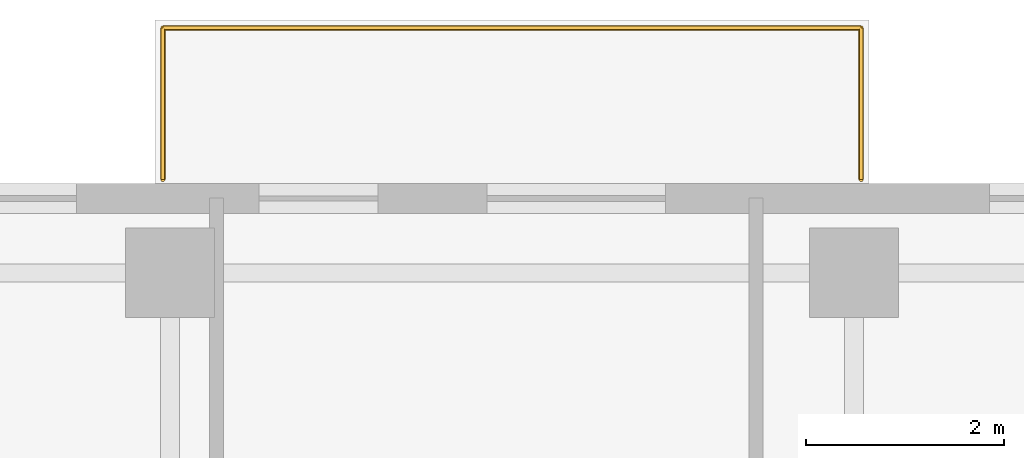
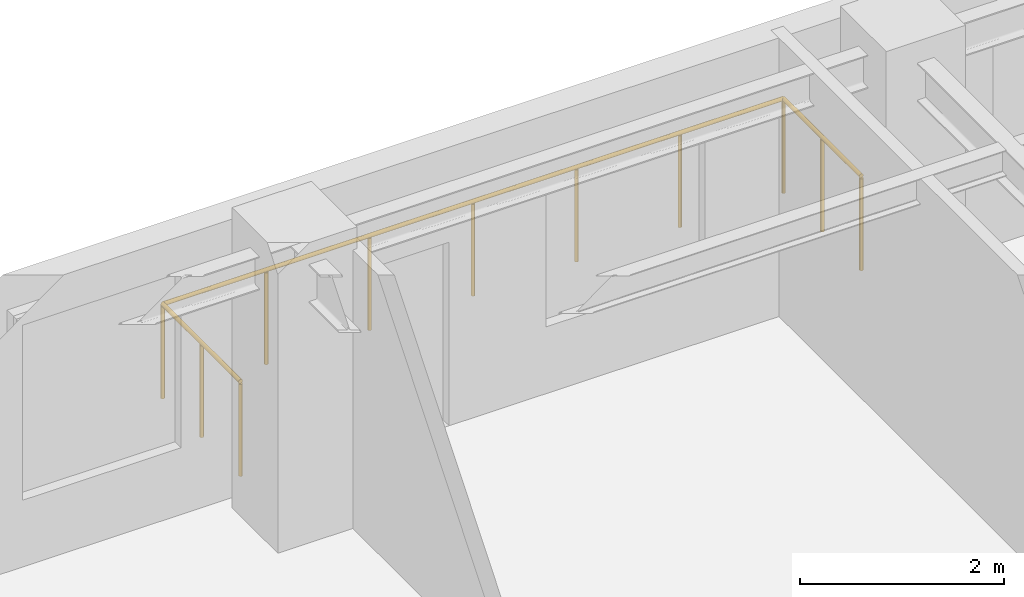
# One storey, part 14 of 14: 1 railing.
"""IFC4 building model written with IfcOpenShell, lengths in metres."""

from ifc_helpers import new_model, si_unit, direction, frame, origin, origin_2d, place, context, subcontext, project, spatial, circle, extrude, material, type_object, element, save


model = new_model("IFC4")

# Units and contexts
model_context = context("Model", 3, precision=1e-05, world=origin(), true_north=direction((0.0, 1.0)))
body_context = subcontext(model_context, "Body", "Model", "MODEL_VIEW")
ifc_project = project(units=[si_unit("LENGTHUNIT", "METRE"), si_unit("AREAUNIT", "SQUARE_METRE"), si_unit("VOLUMEUNIT", "CUBIC_METRE"), si_unit("PLANEANGLEUNIT", "RADIAN"), si_unit("MASSUNIT", "GRAM", prefix="KILO")], contexts=[model_context])

# Site, building, storey
site_placement = place(None, origin())
site = spatial("IfcSite", under=ifc_project, at=site_placement, CompositionType="ELEMENT")
building_placement = place(site_placement, origin())
building = spatial("IfcBuilding", under=site, at=building_placement, Name="Khoralis Quay Care Tower", CompositionType="ELEMENT")
storey_placement = place(building_placement, frame((0.0, 0.0, 177.300048828125)))
storey = spatial("IfcBuildingStorey", under=building, at=storey_placement, Name="L46", CompositionType="ELEMENT", Elevation=177.300048828125)

# Railing
ifc_material = material(Name="Pale anodised aluminium", Category="aluminium")
railing_type = type_object("IfcRailingType", Name="RL-BALUST-1150", PredefinedType="BALUSTRADE", material=ifc_material)
railing_placement = place(storey_placement, frame((23.929931640625, 42.0400390625, -0.0400390625)))
element("IfcRailing", 1, at=railing_placement, inside=storey, type_object=railing_type, Name="L46 Senior Loggia Balcony Guard", PredefinedType="BALUSTRADE", context=body_context, shape_type="SweptSolid", body=[
    extrude(circle(Radius=0.02392578125, at=origin_2d()), frame((0.0, 0.0, 1.1259765625), z_axis=(0.0, 1.0, 0.0), x_axis=(-1.0, 0.0, 0.0)), (0.0, 0.0, 1.0), 1.530029296875),
    extrude(circle(Radius=0.02392578125, at=origin_2d()), frame((0.0, 1.530029296875, 1.1259765625), z_axis=(1.0, 0.0, 0.0), x_axis=(0.0, 1.0, 0.0)), (0.0, 0.0, 1.0), 7.0400390625),
    extrude(circle(Radius=0.02392578125, at=origin_2d()), frame((7.0400390625, 1.530029296875, 1.1259765625), z_axis=(0.0, -1.0, 0.0), x_axis=(1.0, 0.0, 0.0)), (0.0, 0.0, 1.0), 1.530029296875),
    extrude(circle(Radius=0.02099609375, at=origin_2d()), origin(), (0.0, 0.0, 1.0), 1.101806640625),
    extrude(circle(Radius=0.02099609375, at=origin_2d()), frame((0.0, 0.76513671875, 0.0)), (0.0, 0.0, 1.0), 1.101806640625),
    extrude(circle(Radius=0.02099609375, at=origin_2d()), frame((0.0, 1.530029296875, 0.0)), (0.0, 0.0, 1.0), 1.101806640625),
    extrude(circle(Radius=0.02099609375, at=origin_2d()), frame((1.17333984375, 1.530029296875, 0.0)), (0.0, 0.0, 1.0), 1.101806640625),
    extrude(circle(Radius=0.02099609375, at=origin_2d()), frame((2.3466796875, 1.530029296875, 0.0)), (0.0, 0.0, 1.0), 1.101806640625),
    extrude(circle(Radius=0.02099609375, at=origin_2d()), frame((3.52001953125, 1.530029296875, 0.0)), (0.0, 0.0, 1.0), 1.101806640625),
    extrude(circle(Radius=0.02099609375, at=origin_2d()), frame((4.693359375, 1.530029296875, 0.0)), (0.0, 0.0, 1.0), 1.101806640625),
    extrude(circle(Radius=0.02099609375, at=origin_2d()), frame((5.86669921875, 1.530029296875, 0.0)), (0.0, 0.0, 1.0), 1.101806640625),
    extrude(circle(Radius=0.02099609375, at=origin_2d()), frame((7.0400390625, 1.530029296875, 0.0)), (0.0, 0.0, 1.0), 1.101806640625),
    extrude(circle(Radius=0.02099609375, at=origin_2d()), frame((7.0400390625, 0.76513671875, 0.0)), (0.0, 0.0, 1.0), 1.101806640625),
    extrude(circle(Radius=0.02099609375, at=origin_2d()), frame((7.0400390625, 0.0, 0.0)), (0.0, 0.0, 1.0), 1.101806640625),
])

save(model, "model.ifc")
